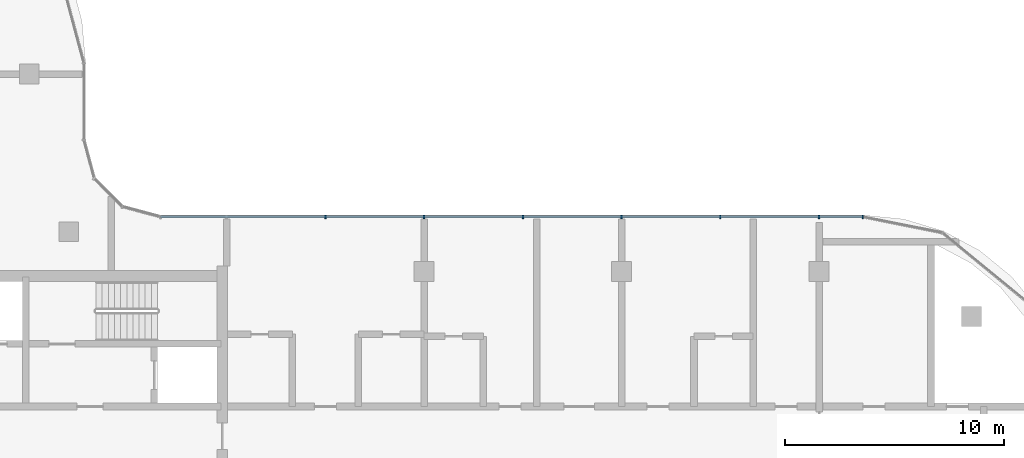
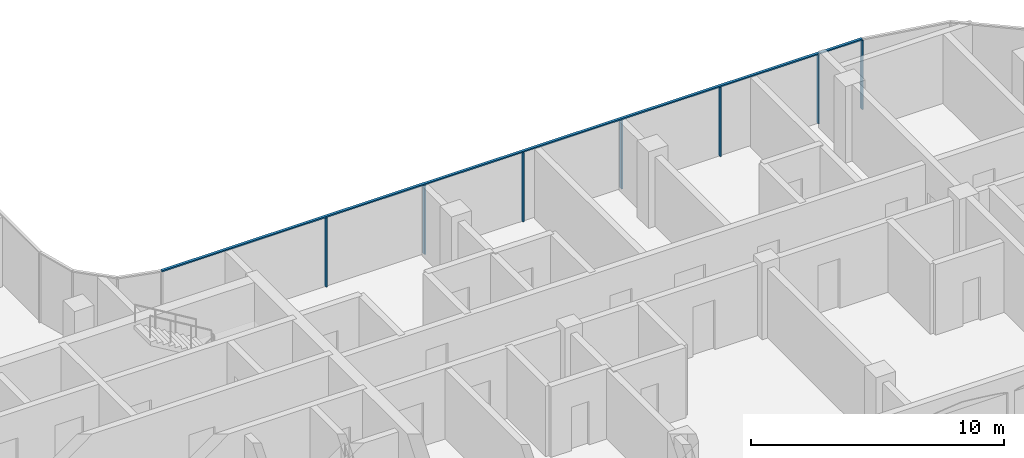
# One storey, part 4 of 18: 8 members, 1 element without a shape of its own.
"""IFC4 building model written with IfcOpenShell, lengths in metres."""

from ifc_helpers import new_model, si_unit, direction, frame, origin, origin_2d, place, context, subcontext, project, spatial, rectangle, extrude, material, material_profile, profile_set, type_object, element, aggregate, save


model = new_model("IFC4")

# Units and contexts
model_context = context("Model", 3, precision=1e-05, world=origin(), true_north=direction((0.0, 1.0)))
body_context = subcontext(model_context, "Body", "Model", "MODEL_VIEW")
ifc_project = project(units=[si_unit("LENGTHUNIT", "METRE"), si_unit("AREAUNIT", "SQUARE_METRE"), si_unit("VOLUMEUNIT", "CUBIC_METRE"), si_unit("PLANEANGLEUNIT", "RADIAN"), si_unit("MASSUNIT", "GRAM", prefix="KILO")], contexts=[model_context])

# Site, building, storey
site_placement = place(None, origin())
site = spatial("IfcSite", under=ifc_project, at=site_placement, CompositionType="ELEMENT")
building_placement = place(site_placement, origin())
building = spatial("IfcBuilding", under=site, at=building_placement, Name="Ogive Portal Towers", CompositionType="ELEMENT")
storey_placement = place(building_placement, frame((0.0, 0.0, 240.199951171875)))
storey = spatial("IfcBuildingStorey", under=building, at=storey_placement, Name="L60", CompositionType="ELEMENT", Elevation=240.199951171875)

# Curtain wall, members
ifc_material_1 = material(Name="Glass, clear low-iron insulated glazing", Category="glass")
curtain_wall_type = type_object("IfcCurtainWallType", Name="CW FRONT RIBBON 4500", PredefinedType="NOTDEFINED", material=ifc_material_1)
curtain_wall_placement = place(storey_placement, origin())
curtain_wall = element("IfcCurtainWall", 1, at=curtain_wall_placement, inside=storey, type_object=curtain_wall_type, Name="A:L60:f16:cw0", PredefinedType="NOTDEFINED")
ifc_material_2 = material(Name="Aluminium 6063 anodised", Category="aluminium")
ifc_material_profile_1 = material_profile(ifc_material_2, rectangle(XDim=0.159912109375, YDim=0.06005859375, at=origin_2d()), Name="AL 60x160")
ifc_profile_set_1 = profile_set([ifc_material_profile_1], Name="Aluminium 6063 anodised")
member_type_1 = type_object("IfcMemberType", Name="CW MULLION 60x160", PredefinedType="MULLION", material=ifc_profile_set_1)
member_1_placement = place(storey_placement, frame((87.4921875, 41.9951171875, 0.0), z_axis=(0.0, 0.0, 1.0), x_axis=(0.0, -1.0, 0.0)))
member_1 = element("IfcMember", 2, at=member_1_placement, type_object=member_type_1, Name="mullion", PredefinedType="MULLION", context=body_context, shape_type="SweptSolid", body=[
    extrude(rectangle(XDim=0.159912109375, YDim=0.06005859375, at=origin_2d()), origin(), (0.0, 0.0, 1.0), 3.340087890625),
])
member_2_placement = place(storey_placement, frame((85.5, 41.9951171875, 0.0), z_axis=(0.0, 0.0, 1.0), x_axis=(0.0, -1.0, 0.0)))
member_2 = element("IfcMember", 3, at=member_2_placement, type_object=member_type_1, Name="mullion", PredefinedType="MULLION", context=body_context, shape_type="SweptSolid", body=[
    extrude(rectangle(XDim=0.159912109375, YDim=0.06005859375, at=origin_2d()), origin(), (0.0, 0.0, 1.0), 3.340087890625),
])
member_3_placement = place(storey_placement, frame((81.0, 41.9951171875, 0.0), z_axis=(0.0, 0.0, 1.0), x_axis=(0.0, -1.0, 0.0)))
member_3 = element("IfcMember", 4, at=member_3_placement, type_object=member_type_1, Name="mullion", PredefinedType="MULLION", context=body_context, shape_type="SweptSolid", body=[
    extrude(rectangle(XDim=0.159912109375, YDim=0.06005859375, at=origin_2d()), origin(), (0.0, 0.0, 1.0), 3.340087890625),
])
member_4_placement = place(storey_placement, frame((76.5, 41.9951171875, 0.0), z_axis=(0.0, 0.0, 1.0), x_axis=(0.0, -1.0, 0.0)))
member_4 = element("IfcMember", 5, at=member_4_placement, type_object=member_type_1, Name="mullion", PredefinedType="MULLION", context=body_context, shape_type="SweptSolid", body=[
    extrude(rectangle(XDim=0.159912109375, YDim=0.06005859375, at=origin_2d()), origin(), (0.0, 0.0, 1.0), 3.340087890625),
])
member_5_placement = place(storey_placement, frame((72.0, 41.9951171875, 0.0), z_axis=(0.0, 0.0, 1.0), x_axis=(0.0, -1.0, 0.0)))
member_5 = element("IfcMember", 6, at=member_5_placement, type_object=member_type_1, Name="mullion", PredefinedType="MULLION", context=body_context, shape_type="SweptSolid", body=[
    extrude(rectangle(XDim=0.159912109375, YDim=0.06005859375, at=origin_2d()), origin(), (0.0, 0.0, 1.0), 3.340087890625),
])
member_6_placement = place(storey_placement, frame((67.5, 41.9951171875, 0.0), z_axis=(0.0, 0.0, 1.0), x_axis=(0.0, -1.0, 0.0)))
member_6 = element("IfcMember", 7, at=member_6_placement, type_object=member_type_1, Name="mullion", PredefinedType="MULLION", context=body_context, shape_type="SweptSolid", body=[
    extrude(rectangle(XDim=0.159912109375, YDim=0.06005859375, at=origin_2d()), origin(), (0.0, 0.0, 1.0), 3.340087890625),
])
member_7_placement = place(storey_placement, frame((63.0, 41.9951171875, 0.0), z_axis=(0.0, 0.0, 1.0), x_axis=(0.0, -1.0, 0.0)))
member_7 = element("IfcMember", 8, at=member_7_placement, type_object=member_type_1, Name="mullion", PredefinedType="MULLION", context=body_context, shape_type="SweptSolid", body=[
    extrude(rectangle(XDim=0.159912109375, YDim=0.06005859375, at=origin_2d()), origin(), (0.0, 0.0, 1.0), 3.340087890625),
])
ifc_material_profile_2 = material_profile(ifc_material_2, rectangle(XDim=0.1201171875, YDim=0.06005859375, at=origin_2d()), Name="AL 120x60")
ifc_profile_set_2 = profile_set([ifc_material_profile_2], Name="Aluminium 6063 anodised")
member_type_2 = type_object("IfcMemberType", Name="CW TRANSOM 60x120", PredefinedType="USERDEFINED", material=ifc_profile_set_2)
member_8_placement = place(storey_placement, frame((87.4921875, 41.9951171875, 3.3701171875), z_axis=(-1.0, 0.0, 0.0), x_axis=(0.0, -1.0, 0.0)))
member_8 = element("IfcMember", 9, at=member_8_placement, type_object=member_type_2, Name="transom", ObjectType="TRANSOM", PredefinedType="USERDEFINED", context=body_context, shape_type="SweptSolid", body=[
    extrude(rectangle(XDim=0.1201171875, YDim=0.06005859375, at=origin_2d()), origin(), (0.0, 0.0, 1.0), 32.002685546875),
])
aggregate(curtain_wall, [member_8, member_1, member_2, member_3, member_4, member_5, member_6, member_7])

save(model, "model.ifc")
